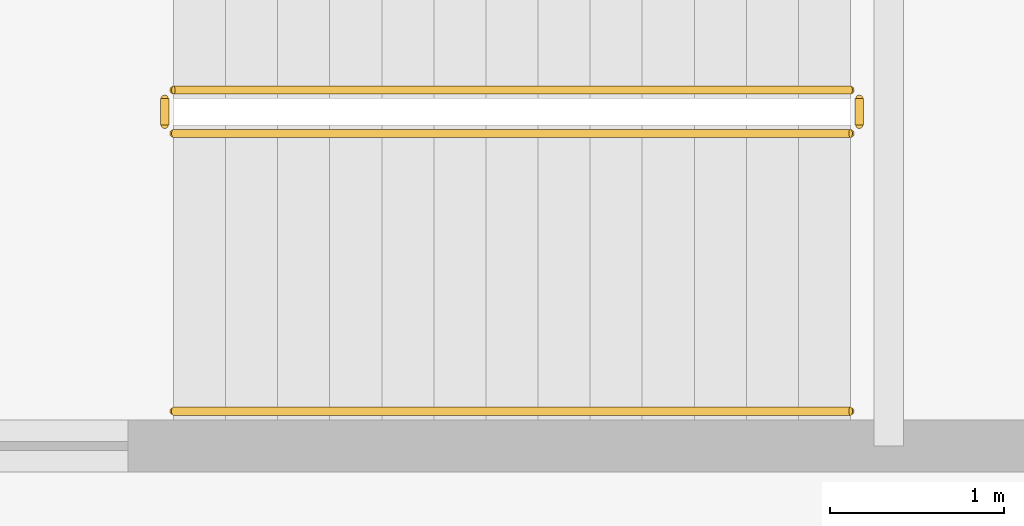
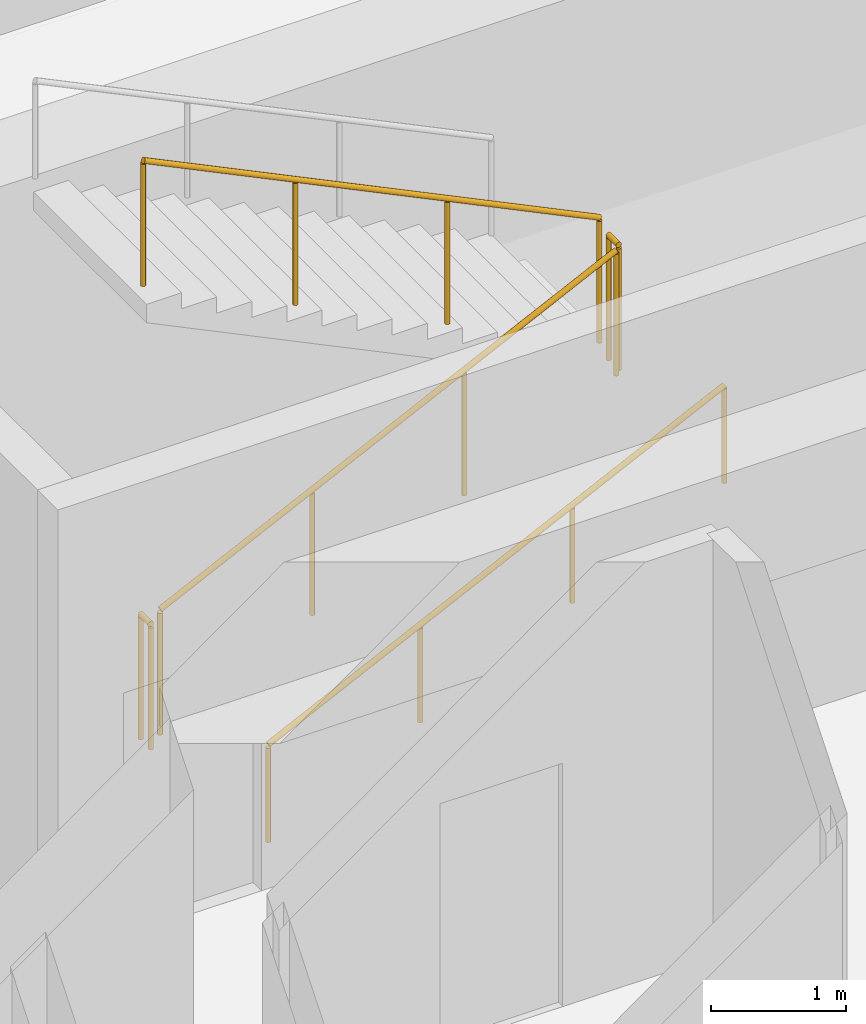
# One storey, part 38 of 45: 5 railings.
"""IFC4 building model written with IfcOpenShell, lengths in metres."""

from ifc_helpers import new_model, si_unit, direction, frame, origin, origin_2d, place, context, subcontext, project, spatial, circle, extrude, material, type_object, element, save


model = new_model("IFC4")

# Units and contexts
model_context = context("Model", 3, precision=1e-05, world=origin(), true_north=direction((0.0, 1.0)))
body_context = subcontext(model_context, "Body", "Model", "MODEL_VIEW")
ifc_project = project(units=[si_unit("LENGTHUNIT", "METRE"), si_unit("AREAUNIT", "SQUARE_METRE"), si_unit("VOLUMEUNIT", "CUBIC_METRE"), si_unit("PLANEANGLEUNIT", "RADIAN"), si_unit("MASSUNIT", "GRAM", prefix="KILO")], contexts=[model_context])

# Site, building, storey
site_placement = place(None, origin())
site = spatial("IfcSite", under=ifc_project, at=site_placement, CompositionType="ELEMENT")
building_placement = place(site_placement, origin())
building = spatial("IfcBuilding", under=site, at=building_placement, Name="Punatoya Terracotta Tower", CompositionType="ELEMENT")
storey_placement = place(building_placement, frame((0.0, 0.0, 56.550048828125)))
storey = spatial("IfcBuildingStorey", under=building, at=storey_placement, Name="L12", CompositionType="ELEMENT", Elevation=56.550048828125)

# Railings
ifc_material = material(Name="Steel S355", Category="steel")
railing_type_1 = type_object("IfcRailingType", Name="RLG-GRD-1150", PredefinedType="GUARDRAIL", material=ifc_material)
railing_1_placement = place(storey_placement, frame((-2.89990234375, 6.949951171875, 0.14453125)))
element("IfcRailing", 1, at=railing_1_placement, inside=storey, type_object=railing_type_1, Name="L12 ST-3 stair guard 1", PredefinedType="GUARDRAIL", context=body_context, shape_type="SweptSolid", body=[
    extrude(circle(Radius=0.02392578125, at=origin_2d()), frame((0.0, 0.0, 1.1259765625), z_axis=(0.900763166376, 0.0, 0.434310623978), x_axis=(0.0, 1.0, 0.0)), (0.0, 0.0, 1.0), 4.32958984375),
    extrude(circle(Radius=0.02099609375, at=origin_2d()), origin(), (0.0, 0.0, 1.0), 1.101806640625),
    extrude(circle(Radius=0.02099609375, at=origin_2d()), frame((1.300048828125, 0.0, 0.626708984375)), (0.0, 0.0, 1.0), 1.101806640625),
    extrude(circle(Radius=0.02099609375, at=origin_2d()), frame((2.599853515625, 0.0, 1.253662109375)), (0.0, 0.0, 1.0), 1.101806640625),
    extrude(circle(Radius=0.02099609375, at=origin_2d()), frame((3.89990234375, 0.0, 1.88037109375)), (0.0, 0.0, 1.0), 1.101806640625),
])
railing_2_placement = place(storey_placement, frame((1.050048828125, 7.0, 2.02490234375)))
element("IfcRailing", 2, at=railing_2_placement, inside=storey, type_object=railing_type_1, Name="L12 ST-3 stair guard 2", PredefinedType="GUARDRAIL", context=body_context, shape_type="SweptSolid", body=[
    extrude(circle(Radius=0.02392578125, at=origin_2d()), frame((0.0, 0.0, 1.1259765625), z_axis=(0.0, 1.0, 0.0), x_axis=(-1.0, 0.0, 0.0)), (0.0, 0.0, 1.0), 0.14990234375),
    extrude(circle(Radius=0.02099609375, at=origin_2d()), origin(), (0.0, 0.0, 1.0), 1.101806640625),
    extrude(circle(Radius=0.02099609375, at=origin_2d()), frame((0.0, 0.14990234375, 0.0)), (0.0, 0.0, 1.0), 1.101806640625),
])
railing_3_placement = place(storey_placement, frame((1.0, 7.199951171875, 2.169677734375)))
element("IfcRailing", 3, at=railing_3_placement, inside=storey, type_object=railing_type_1, Name="L12 ST-3 stair guard 3", PredefinedType="GUARDRAIL", context=body_context, shape_type="SweptSolid", body=[
    extrude(circle(Radius=0.02392578125, at=origin_2d()), frame((0.0, 0.0, 1.1259765625), z_axis=(-0.900763166376, 0.0, 0.434310623978), x_axis=(0.0, -1.0, 0.0)), (0.0, 0.0, 1.0), 4.32958984375),
    extrude(circle(Radius=0.02099609375, at=origin_2d()), origin(), (0.0, 0.0, 1.0), 1.101806640625),
    extrude(circle(Radius=0.02099609375, at=origin_2d()), frame((-1.300048828125, 0.0, 0.626708984375)), (0.0, 0.0, 1.0), 1.101806640625),
    extrude(circle(Radius=0.02099609375, at=origin_2d()), frame((-2.599853515625, 0.0, 1.253662109375)), (0.0, 0.0, 1.0), 1.101806640625),
    extrude(circle(Radius=0.02099609375, at=origin_2d()), frame((-3.89990234375, 0.0, 1.88037109375)), (0.0, 0.0, 1.0), 1.101806640625),
])
railing_4_placement = place(storey_placement, frame((-2.949951171875, 7.0, 0.0)))
element("IfcRailing", 4, at=railing_4_placement, inside=storey, type_object=railing_type_1, Name="L12 ST-3 stair guard 4", PredefinedType="GUARDRAIL", context=body_context, shape_type="SweptSolid", body=[
    extrude(circle(Radius=0.02392578125, at=origin_2d()), frame((0.0, 0.0, 1.1259765625), z_axis=(0.0, 1.0, 0.0), x_axis=(-1.0, 0.0, 0.0)), (0.0, 0.0, 1.0), 0.14990234375),
    extrude(circle(Radius=0.02099609375, at=origin_2d()), origin(), (0.0, 0.0, 1.0), 1.101806640625),
    extrude(circle(Radius=0.02099609375, at=origin_2d()), frame((0.0, 0.14990234375, 0.0)), (0.0, 0.0, 1.0), 1.101806640625),
])
railing_type_2 = type_object("IfcRailingType", Name="RLG-HND-900", PredefinedType="HANDRAIL", material=ifc_material)
railing_5_placement = place(storey_placement, frame((-2.89990234375, 5.35009765625, 0.14453125)))
element("IfcRailing", 5, at=railing_5_placement, inside=storey, type_object=railing_type_2, Name="L12 ST-3 stair handrail 1", PredefinedType="HANDRAIL", context=body_context, shape_type="SweptSolid", body=[
    extrude(circle(Radius=0.02392578125, at=origin_2d()), frame((0.0, 0.0, 0.8759765625), z_axis=(0.900763166376, 0.0, 0.434310623978), x_axis=(0.0, 1.0, 0.0)), (0.0, 0.0, 1.0), 4.32958984375),
    extrude(circle(Radius=0.02099609375, at=origin_2d()), origin(), (0.0, 0.0, 1.0), 0.851806640625),
    extrude(circle(Radius=0.02099609375, at=origin_2d()), frame((1.300048828125, 0.0, 0.626708984375)), (0.0, 0.0, 1.0), 0.851806640625),
    extrude(circle(Radius=0.02099609375, at=origin_2d()), frame((2.599853515625, 0.0, 1.253662109375)), (0.0, 0.0, 1.0), 0.851806640625),
    extrude(circle(Radius=0.02099609375, at=origin_2d()), frame((3.89990234375, 0.0, 1.88037109375)), (0.0, 0.0, 1.0), 0.851806640625),
])

save(model, "model.ifc")
